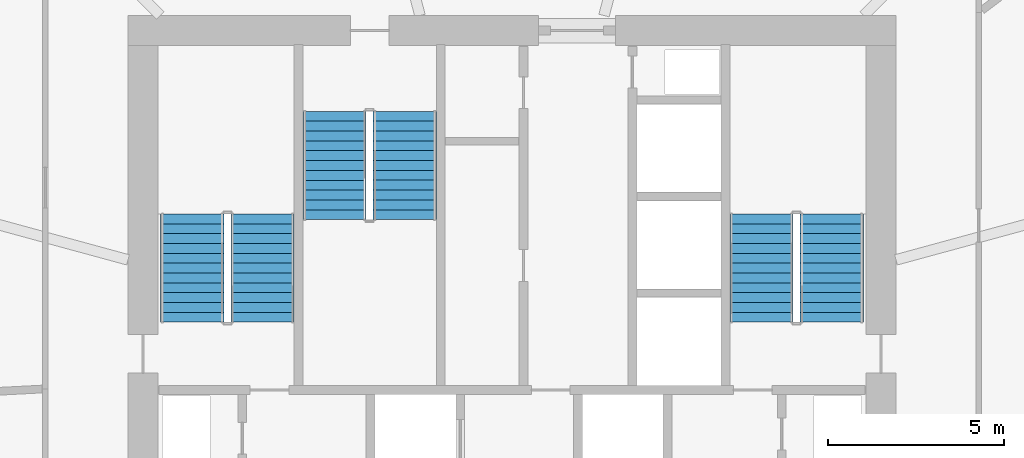
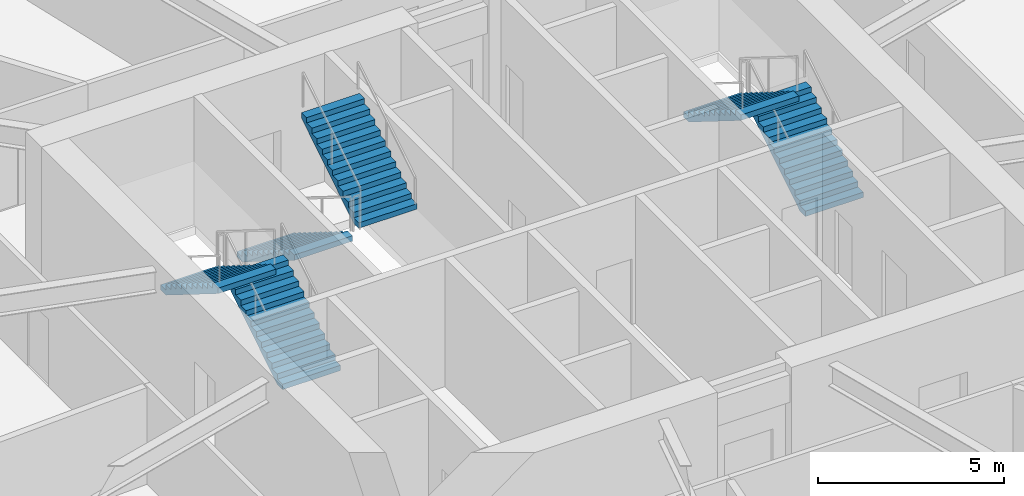
# One storey, part 24 of 26: 6 stair flights, 3 elements without a shape of their own.
"""IFC4 building model written with IfcOpenShell, lengths in metres."""

from ifc_helpers import new_model, si_unit, direction, frame, origin, place, context, subcontext, project, spatial, polyline, outline, extrude, material, type_object, element, aggregate, save


model = new_model("IFC4")

# Units and contexts
model_context = context("Model", 3, precision=1e-05, world=origin(), true_north=direction((0.0, 1.0)))
body_context = subcontext(model_context, "Body", "Model", "MODEL_VIEW")
ifc_project = project(units=[si_unit("LENGTHUNIT", "METRE"), si_unit("AREAUNIT", "SQUARE_METRE"), si_unit("VOLUMEUNIT", "CUBIC_METRE"), si_unit("PLANEANGLEUNIT", "RADIAN"), si_unit("MASSUNIT", "GRAM", prefix="KILO")], contexts=[model_context])

# Site, building, storey
site_placement = place(None, origin())
site = spatial("IfcSite", under=ifc_project, at=site_placement, CompositionType="ELEMENT")
building_placement = place(site_placement, origin())
building = spatial("IfcBuilding", under=site, at=building_placement, Name="Zuhravey Tower", CompositionType="ELEMENT")
storey_placement = place(building_placement, frame((0.0, 0.0, 28.800048828125)))
storey = spatial("IfcBuildingStorey", under=building, at=storey_placement, Name="L07", CompositionType="ELEMENT", Elevation=28.800048828125)

# Stair, stair flights
ifc_material = material(Name="Concrete C40/50", Category="concrete")
stair_type = type_object("IfcStairType", Name="School Storey Stair Assembly 4200", PredefinedType="HALF_TURN_STAIR", material=ifc_material)
stair_1_placement = place(storey_placement, origin())
stair_1 = element("IfcStair", 1, at=stair_1_placement, inside=storey, type_object=stair_type, Name="L07 Core Exit Stair ST1", PredefinedType="HALF_TURN_STAIR")
stair_flight_type = type_object("IfcStairFlightType", Name="School Storey Stair Flight 4200", PredefinedType="STRAIGHT", material=ifc_material)
stair_flight_1_placement = place(storey_placement, frame((28.89990234375, 33.199951171875, 0.0), z_axis=(0.0, 0.0, 1.0), x_axis=(0.0, 1.0, 0.0)))
stair_flight_1 = element("IfcStairFlight", 2, at=stair_flight_1_placement, type_object=stair_flight_type, Name="ST1 flight 1", NumberOfRisers=12, NumberOfTreads=11, PredefinedType="STRAIGHT", RiserHeight=0.175, TreadLength=0.28, context=body_context, shape_type="SweptSolid", body=[
    extrude(outline(polyline([(0.0, 0.0), (0.0, 0.175048828125), (0.280029296875, 0.175048828125), (0.280029296875, 0.35009765625), (0.56005859375, 0.35009765625), (0.56005859375, 0.52490234375), (0.840087890625, 0.52490234375), (0.840087890625, 0.699951171875), (1.1201171875, 0.699951171875), (1.1201171875, 0.875), (1.39990234375, 0.875), (1.39990234375, 1.050048828125), (1.679931640625, 1.050048828125), (1.679931640625, 1.22509765625), (1.9599609375, 1.22509765625), (1.9599609375, 1.39990234375), (2.239990234375, 1.39990234375), (2.239990234375, 1.574951171875), (2.52001953125, 1.574951171875), (2.52001953125, 1.75), (2.800048828125, 1.75), (2.800048828125, 1.925048828125), (3.080078125, 1.925048828125), (3.080078125, 2.10009765625), (3.080078125, 1.748291015625), (0.28271484375, 0.0), (0.0, 0.0)])), frame((0.0, 0.89990234375, 0.0), z_axis=(0.0, -1.0, 0.0), x_axis=(1.0, 0.0, 0.0)), (0.0, 0.0, 1.0), 1.800048828125),
])
stair_flight_2_placement = place(storey_placement, frame((26.89990234375, 36.280029296875, 2.099853515625), z_axis=(0.0, 0.0, 1.0), x_axis=(0.0, -1.0, 0.0)))
stair_flight_2 = element("IfcStairFlight", 3, at=stair_flight_2_placement, type_object=stair_flight_type, Name="ST1 flight 2", NumberOfRisers=12, NumberOfTreads=11, PredefinedType="STRAIGHT", RiserHeight=0.175, TreadLength=0.28, context=body_context, shape_type="SweptSolid", body=[
    extrude(outline(polyline([(0.0, 0.0), (0.0, 0.175048828125), (0.280029296875, 0.175048828125), (0.280029296875, 0.35009765625), (0.56005859375, 0.35009765625), (0.56005859375, 0.52490234375), (0.840087890625, 0.52490234375), (0.840087890625, 0.699951171875), (1.1201171875, 0.699951171875), (1.1201171875, 0.875), (1.39990234375, 0.875), (1.39990234375, 1.050048828125), (1.679931640625, 1.050048828125), (1.679931640625, 1.22509765625), (1.9599609375, 1.22509765625), (1.9599609375, 1.39990234375), (2.239990234375, 1.39990234375), (2.239990234375, 1.574951171875), (2.52001953125, 1.574951171875), (2.52001953125, 1.75), (2.800048828125, 1.75), (2.800048828125, 1.925048828125), (3.080078125, 1.925048828125), (3.080078125, 2.10009765625), (3.080078125, 1.748291015625), (0.28271484375, 0.0), (0.0, 0.0)])), frame((0.0, 0.89990234375, 0.0), z_axis=(0.0, -1.0, 0.0), x_axis=(1.0, 0.0, 0.0)), (0.0, 0.0, 1.0), 1.800048828125),
])
aggregate(stair_1, [stair_flight_1, stair_flight_2])

stair_2_placement = place(storey_placement, origin())
stair_2 = element("IfcStair", 4, at=stair_2_placement, inside=storey, type_object=stair_type, Name="L07 Core Exit Stair ST2", PredefinedType="HALF_TURN_STAIR")
stair_flight_3_placement = place(storey_placement, frame((45.10009765625, 33.199951171875, 0.0), z_axis=(0.0, 0.0, 1.0), x_axis=(0.0, 1.0, 0.0)))
stair_flight_3 = element("IfcStairFlight", 5, at=stair_flight_3_placement, type_object=stair_flight_type, Name="ST2 flight 1", NumberOfRisers=12, NumberOfTreads=11, PredefinedType="STRAIGHT", RiserHeight=0.175, TreadLength=0.28, context=body_context, shape_type="SweptSolid", body=[
    extrude(outline(polyline([(0.0, 0.0), (0.0, 0.175048828125), (0.280029296875, 0.175048828125), (0.280029296875, 0.35009765625), (0.56005859375, 0.35009765625), (0.56005859375, 0.52490234375), (0.840087890625, 0.52490234375), (0.840087890625, 0.699951171875), (1.1201171875, 0.699951171875), (1.1201171875, 0.875), (1.39990234375, 0.875), (1.39990234375, 1.050048828125), (1.679931640625, 1.050048828125), (1.679931640625, 1.22509765625), (1.9599609375, 1.22509765625), (1.9599609375, 1.39990234375), (2.239990234375, 1.39990234375), (2.239990234375, 1.574951171875), (2.52001953125, 1.574951171875), (2.52001953125, 1.75), (2.800048828125, 1.75), (2.800048828125, 1.925048828125), (3.080078125, 1.925048828125), (3.080078125, 2.10009765625), (3.080078125, 1.748291015625), (0.28271484375, 0.0), (0.0, 0.0)])), frame((0.0, 0.89990234375, 0.0), z_axis=(0.0, -1.0, 0.0), x_axis=(1.0, 0.0, 0.0)), (0.0, 0.0, 1.0), 1.800048828125),
])
stair_flight_4_placement = place(storey_placement, frame((43.10009765625, 36.280029296875, 2.099853515625), z_axis=(0.0, 0.0, 1.0), x_axis=(0.0, -1.0, 0.0)))
stair_flight_4 = element("IfcStairFlight", 6, at=stair_flight_4_placement, type_object=stair_flight_type, Name="ST2 flight 2", NumberOfRisers=12, NumberOfTreads=11, PredefinedType="STRAIGHT", RiserHeight=0.175, TreadLength=0.28, context=body_context, shape_type="SweptSolid", body=[
    extrude(outline(polyline([(0.0, 0.0), (0.0, 0.175048828125), (0.280029296875, 0.175048828125), (0.280029296875, 0.35009765625), (0.56005859375, 0.35009765625), (0.56005859375, 0.52490234375), (0.840087890625, 0.52490234375), (0.840087890625, 0.699951171875), (1.1201171875, 0.699951171875), (1.1201171875, 0.875), (1.39990234375, 0.875), (1.39990234375, 1.050048828125), (1.679931640625, 1.050048828125), (1.679931640625, 1.22509765625), (1.9599609375, 1.22509765625), (1.9599609375, 1.39990234375), (2.239990234375, 1.39990234375), (2.239990234375, 1.574951171875), (2.52001953125, 1.574951171875), (2.52001953125, 1.75), (2.800048828125, 1.75), (2.800048828125, 1.925048828125), (3.080078125, 1.925048828125), (3.080078125, 2.10009765625), (3.080078125, 1.748291015625), (0.28271484375, 0.0), (0.0, 0.0)])), frame((0.0, 0.89990234375, 0.0), z_axis=(0.0, -1.0, 0.0), x_axis=(1.0, 0.0, 0.0)), (0.0, 0.0, 1.0), 1.800048828125),
])
aggregate(stair_2, [stair_flight_3, stair_flight_4])

stair_3_placement = place(storey_placement, origin())
stair_3 = element("IfcStair", 7, at=stair_3_placement, inside=storey, type_object=stair_type, Name="L07 Core Exit Stair ST3", PredefinedType="HALF_TURN_STAIR")
stair_flight_5_placement = place(storey_placement, frame((30.949951171875, 39.199951171875, 0.0), z_axis=(0.0, 0.0, 1.0), x_axis=(0.0, -1.0, 0.0)))
stair_flight_5 = element("IfcStairFlight", 8, at=stair_flight_5_placement, type_object=stair_flight_type, Name="ST3 flight 1", NumberOfRisers=12, NumberOfTreads=11, PredefinedType="STRAIGHT", RiserHeight=0.175, TreadLength=0.28, context=body_context, shape_type="SweptSolid", body=[
    extrude(outline(polyline([(0.0, 0.0), (0.0, 0.175048828125), (0.280029296875, 0.175048828125), (0.280029296875, 0.35009765625), (0.56005859375, 0.35009765625), (0.56005859375, 0.52490234375), (0.840087890625, 0.52490234375), (0.840087890625, 0.699951171875), (1.1201171875, 0.699951171875), (1.1201171875, 0.875), (1.39990234375, 0.875), (1.39990234375, 1.050048828125), (1.679931640625, 1.050048828125), (1.679931640625, 1.22509765625), (1.9599609375, 1.22509765625), (1.9599609375, 1.39990234375), (2.239990234375, 1.39990234375), (2.239990234375, 1.574951171875), (2.52001953125, 1.574951171875), (2.52001953125, 1.75), (2.800048828125, 1.75), (2.800048828125, 1.925048828125), (3.080078125, 1.925048828125), (3.080078125, 2.10009765625), (3.080078125, 1.748291015625), (0.28271484375, 0.0), (0.0, 0.0)])), frame((0.0, 0.89990234375, 0.0), z_axis=(0.0, -1.0, 0.0), x_axis=(1.0, 0.0, 0.0)), (0.0, 0.0, 1.0), 1.800048828125),
])
stair_flight_6_placement = place(storey_placement, frame((32.949951171875, 36.1201171875, 2.099853515625), z_axis=(0.0, 0.0, 1.0), x_axis=(0.0, 1.0, 0.0)))
stair_flight_6 = element("IfcStairFlight", 9, at=stair_flight_6_placement, type_object=stair_flight_type, Name="ST3 flight 2", NumberOfRisers=12, NumberOfTreads=11, PredefinedType="STRAIGHT", RiserHeight=0.175, TreadLength=0.28, context=body_context, shape_type="SweptSolid", body=[
    extrude(outline(polyline([(0.0, 0.0), (0.0, 0.175048828125), (0.280029296875, 0.175048828125), (0.280029296875, 0.35009765625), (0.56005859375, 0.35009765625), (0.56005859375, 0.52490234375), (0.840087890625, 0.52490234375), (0.840087890625, 0.699951171875), (1.1201171875, 0.699951171875), (1.1201171875, 0.875), (1.39990234375, 0.875), (1.39990234375, 1.050048828125), (1.679931640625, 1.050048828125), (1.679931640625, 1.22509765625), (1.9599609375, 1.22509765625), (1.9599609375, 1.39990234375), (2.239990234375, 1.39990234375), (2.239990234375, 1.574951171875), (2.52001953125, 1.574951171875), (2.52001953125, 1.75), (2.800048828125, 1.75), (2.800048828125, 1.925048828125), (3.080078125, 1.925048828125), (3.080078125, 2.10009765625), (3.080078125, 1.748291015625), (0.28271484375, 0.0), (0.0, 0.0)])), frame((0.0, 0.89990234375, 0.0), z_axis=(0.0, -1.0, 0.0), x_axis=(1.0, 0.0, 0.0)), (0.0, 0.0, 1.0), 1.800048828125),
])
aggregate(stair_3, [stair_flight_5, stair_flight_6])

save(model, "model.ifc")
